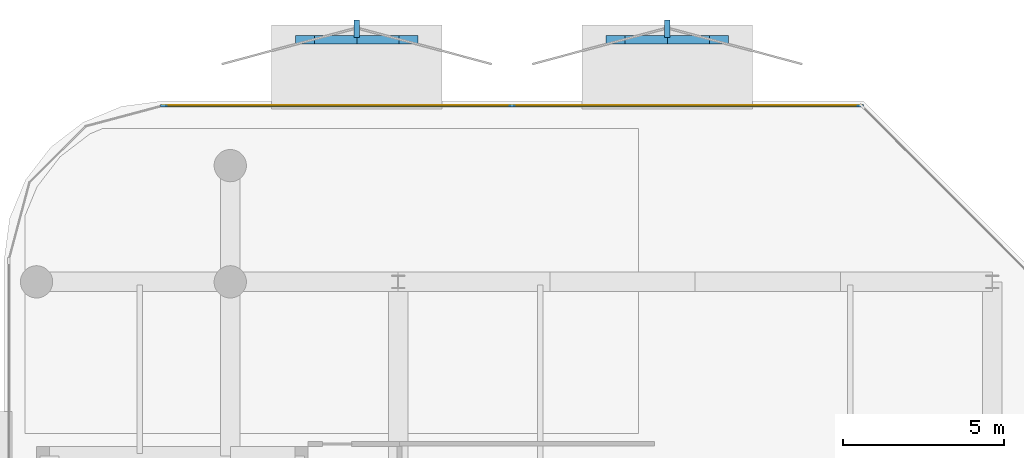
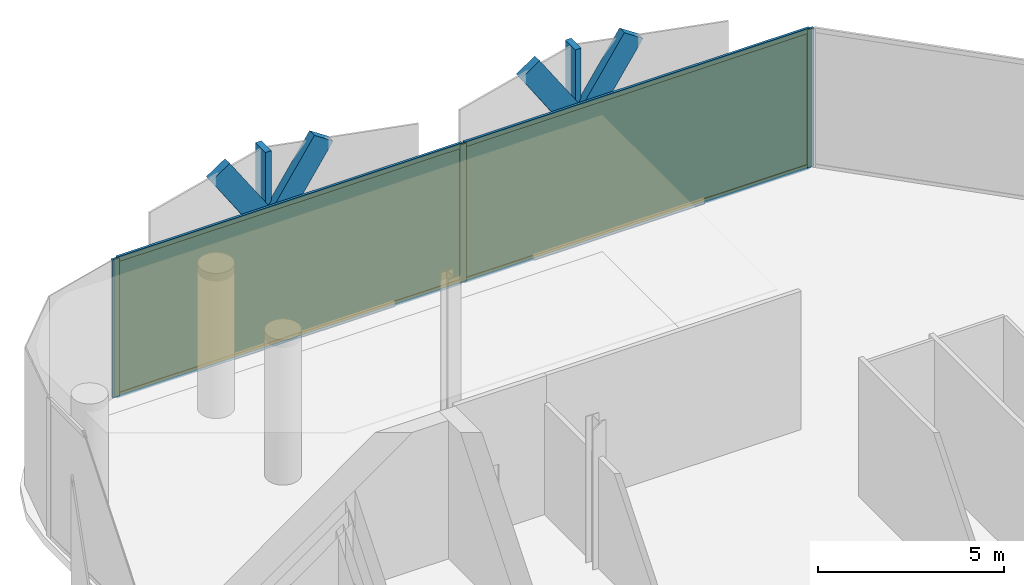
# One storey, part 10 of 15: 13 members, 2 plates, 1 curtain wall.
"""IFC4 building model written with IfcOpenShell, lengths in metres."""

from ifc_helpers import new_model, si_unit, direction, frame, frame_2d, origin, origin_2d, place, context, subcontext, project, spatial, rectangle, extrude, material, layer, layer_set, material_profile, profile_set, type_object, element, aggregate, save


model = new_model("IFC4")

# Units and contexts
model_context = context("Model", 3, precision=1e-05, world=origin(), true_north=direction((0.0, 1.0)))
body_context = subcontext(model_context, "Body", "Model", "MODEL_VIEW")
ifc_project = project(units=[si_unit("LENGTHUNIT", "METRE"), si_unit("AREAUNIT", "SQUARE_METRE"), si_unit("VOLUMEUNIT", "CUBIC_METRE"), si_unit("PLANEANGLEUNIT", "RADIAN"), si_unit("MASSUNIT", "GRAM", prefix="KILO")], contexts=[model_context])

# Member
ifc_material_1 = material(Name="Anodised Bronze Aluminium 6063-T6", Category="aluminium")
ifc_material_profile_1 = material_profile(ifc_material_1, rectangle(XDim=0.260009765625, YDim=0.699951171875, at=origin_2d()))
ifc_profile_set_1 = profile_set([ifc_material_profile_1], Name="Anodised Bronze Aluminium 6063-T6")
member_type_1 = type_object("IfcMemberType", Name="Bronze Diamond Solar-Screen Lattice Rib BDL-700", PredefinedType="MULLION", material=ifc_profile_set_1)
site_placement = place(None, origin())
building_placement = place(site_placement, origin())
storey_placement = place(building_placement, frame((0.0, 0.0, 315.60009765625)))
member_1_placement = place(storey_placement, frame((-12.085205078125, 26.10009765625, -0.130126953125), z_axis=(0.555334509601, 0.0, 0.831627069332), x_axis=(0.0, 1.0, 0.0)))
member_1 = element("IfcMember", 1, at=member_1_placement, type_object=member_type_1, Name="L76 Bronze Diamond Solar Screen Lattice Rib 538A", PredefinedType="MULLION", context=body_context, shape_type="SweptSolid", body=[
    extrude(rectangle(XDim=0.260009765625, YDim=0.699951171875, at=origin_2d()), origin(), (0.0, 0.0, 1.0), 5.77197265625),
])

member_2_placement = place(storey_placement, frame((-8.8798828125, 26.10009765625, -0.130126953125), z_axis=(-0.555334509601, 0.0, 0.831627069332), x_axis=(0.0, -1.0, 0.0)))
member_2 = element("IfcMember", 2, at=member_2_placement, type_object=member_type_1, Name="L76 Bronze Diamond Solar Screen Lattice Rib 538B", PredefinedType="MULLION", context=body_context, shape_type="SweptSolid", body=[
    extrude(rectangle(XDim=0.260009765625, YDim=0.699951171875, at=origin_2d()), origin(), (0.0, 0.0, 1.0), 5.77197265625),
])

member_3_placement = place(storey_placement, frame((-2.468994140625, 26.10009765625, -0.130126953125), z_axis=(0.555363762233, 0.0, 0.831607534597), x_axis=(0.0, 1.0, 0.0)))
member_3 = element("IfcMember", 3, at=member_3_placement, type_object=member_type_1, Name="L76 Bronze Diamond Solar Screen Lattice Rib 539A", PredefinedType="MULLION", context=body_context, shape_type="SweptSolid", body=[
    extrude(rectangle(XDim=0.260009765625, YDim=0.699951171875, at=origin_2d()), origin(), (0.0, 0.0, 1.0), 5.77197265625),
])

member_4_placement = place(storey_placement, frame((0.736572265625, 26.10009765625, -0.130126953125), z_axis=(-0.555363762233, 0.0, 0.831607534597), x_axis=(0.0, -1.0, 0.0)))
member_4 = element("IfcMember", 4, at=member_4_placement, type_object=member_type_1, Name="L76 Bronze Diamond Solar Screen Lattice Rib 539B", PredefinedType="MULLION", context=body_context, shape_type="SweptSolid", body=[
    extrude(rectangle(XDim=0.260009765625, YDim=0.699951171875, at=origin_2d()), origin(), (0.0, 0.0, 1.0), 5.77197265625),
])

ifc_material_2 = material(Name="Anodised Bronze Aluminium 6063-T6", Category="aluminium")
ifc_material_profile_2 = material_profile(ifc_material_2, rectangle(XDim=0.179931640625, YDim=0.5400390625, at=origin_2d()))
ifc_profile_set_2 = profile_set([ifc_material_profile_2], Name="Anodised Bronze Aluminium 6063-T6")
member_type_2 = type_object("IfcMemberType", Name="Bronze Solar-Screen Vertical Fold Fin BSF-540", PredefinedType="MULLION", material=ifc_profile_set_2)
member_5_placement = place(storey_placement, frame((-10.482666015625, 26.43994140625, -0.130126953125), z_axis=(0.0, 0.0, 1.0), x_axis=(1.0, 0.0, 0.0)))
member_5 = element("IfcMember", 5, at=member_5_placement, type_object=member_type_2, Name="L76 Bronze Solar Screen Vertical Fin 538", PredefinedType="MULLION", context=body_context, shape_type="SweptSolid", body=[
    extrude(rectangle(XDim=0.179931640625, YDim=0.5400390625, at=origin_2d()), origin(), (0.0, 0.0, 1.0), 4.800048828125),
])

member_6_placement = place(storey_placement, frame((-0.8662109375, 26.43994140625, -0.130126953125), z_axis=(0.0, 0.0, 1.0), x_axis=(1.0, 0.0, 0.0)))
member_6 = element("IfcMember", 6, at=member_6_placement, type_object=member_type_2, Name="L76 Bronze Solar Screen Vertical Fin 539", PredefinedType="MULLION", context=body_context, shape_type="SweptSolid", body=[
    extrude(rectangle(XDim=0.179931640625, YDim=0.5400390625, at=origin_2d()), origin(), (0.0, 0.0, 1.0), 4.800048828125),
])

ifc_material_3 = material(Name="Anodised Bronze Aluminium 6063-T6", Category="aluminium")
ifc_material_profile_3 = material_profile(ifc_material_3, rectangle(XDim=0.074951171875, YDim=0.2099609375, at=origin_2d()))
ifc_profile_set_3 = profile_set([ifc_material_profile_3], Name="Anodised Bronze Aluminium 6063-T6")
member_type_3 = type_object("IfcMemberType", Name="CW-CRN Mullion 75x210", PredefinedType="MULLION", material=ifc_profile_set_3)
member_7_placement = place(storey_placement, frame((-16.453369140625, 24.06005859375, 0.0), z_axis=(0.0, 0.0, 1.0), x_axis=(0.0, 1.0, 0.0)))
member_7 = element("IfcMember", 7, at=member_7_placement, type_object=member_type_3, Name="CW-CRN mullion 1", PredefinedType="MULLION", context=body_context, shape_type="SweptSolid", body=[
    extrude(rectangle(XDim=0.074951171875, YDim=0.2099609375, at=origin_2d()), origin(), (0.0, 0.0, 1.0), 4.539794921875),
])

member_8_placement = place(storey_placement, frame((-5.67431640625, 24.06005859375, 0.0), z_axis=(0.0, 0.0, 1.0), x_axis=(0.0, 1.0, 0.0)))
member_8 = element("IfcMember", 8, at=member_8_placement, type_object=member_type_3, Name="CW-CRN mullion 2", PredefinedType="MULLION", context=body_context, shape_type="SweptSolid", body=[
    extrude(rectangle(XDim=0.074951171875, YDim=0.2099609375, at=origin_2d()), origin(), (0.0, 0.0, 1.0), 4.539794921875),
])

member_9_placement = place(storey_placement, frame((5.1044921875, 24.06005859375, 0.0), z_axis=(0.0, 0.0, 1.0), x_axis=(0.0, 1.0, 0.0)))
member_9 = element("IfcMember", 9, at=member_9_placement, type_object=member_type_3, Name="CW-CRN mullion 3", PredefinedType="MULLION", context=body_context, shape_type="SweptSolid", body=[
    extrude(rectangle(XDim=0.074951171875, YDim=0.2099609375, at=origin_2d()), origin(), (0.0, 0.0, 1.0), 4.539794921875),
])

ifc_material_4 = material(Name="Anodised Bronze Aluminium 6063-T6", Category="aluminium")
ifc_material_profile_4 = material_profile(ifc_material_4, rectangle(XDim=0.074951171875, YDim=0.1650390625, at=origin_2d()))
ifc_profile_set_4 = profile_set([ifc_material_profile_4], Name="Anodised Bronze Aluminium 6063-T6")
member_type_4 = type_object("IfcMemberType", Name="CW-CRN Transom 75x165", PredefinedType="USERDEFINED", material=ifc_profile_set_4)
member_10_placement = place(storey_placement, frame((-16.415771484375, 24.06005859375, 0.037353515625), z_axis=(1.0, 0.0, 0.0), x_axis=(0.0, 1.0, 0.0)))
member_10 = element("IfcMember", 10, at=member_10_placement, type_object=member_type_4, Name="CW-CRN transom 1.1", ObjectType="TRANSOM", PredefinedType="USERDEFINED", context=body_context, shape_type="SweptSolid", body=[
    extrude(rectangle(XDim=0.074951171875, YDim=0.1650390625, at=origin_2d()), origin(), (0.0, 0.0, 1.0), 10.703857421875),
])

member_11_placement = place(storey_placement, frame((-16.415771484375, 24.06005859375, 4.50244140625), z_axis=(1.0, 0.0, 0.0), x_axis=(0.0, 1.0, 0.0)))
member_11 = element("IfcMember", 11, at=member_11_placement, type_object=member_type_4, Name="CW-CRN transom 1.2", ObjectType="TRANSOM", PredefinedType="USERDEFINED", context=body_context, shape_type="SweptSolid", body=[
    extrude(rectangle(XDim=0.074951171875, YDim=0.1650390625, at=origin_2d()), origin(), (0.0, 0.0, 1.0), 10.703857421875),
])

member_12_placement = place(storey_placement, frame((-5.636962890625, 24.06005859375, 0.037353515625), z_axis=(1.0, 0.0, 0.0), x_axis=(0.0, 1.0, 0.0)))
member_12 = element("IfcMember", 12, at=member_12_placement, type_object=member_type_4, Name="CW-CRN transom 2.1", ObjectType="TRANSOM", PredefinedType="USERDEFINED", context=body_context, shape_type="SweptSolid", body=[
    extrude(rectangle(XDim=0.074951171875, YDim=0.1650390625, at=origin_2d()), origin(), (0.0, 0.0, 1.0), 10.703857421875),
])

member_13_placement = place(storey_placement, frame((-5.636962890625, 24.06005859375, 4.50244140625), z_axis=(1.0, 0.0, 0.0), x_axis=(0.0, 1.0, 0.0)))
member_13 = element("IfcMember", 13, at=member_13_placement, type_object=member_type_4, Name="CW-CRN transom 2.2", ObjectType="TRANSOM", PredefinedType="USERDEFINED", context=body_context, shape_type="SweptSolid", body=[
    extrude(rectangle(XDim=0.074951171875, YDim=0.1650390625, at=origin_2d()), origin(), (0.0, 0.0, 1.0), 10.703857421875),
])

# Plate
ifc_material_5 = material(Name="Low-E Solar Control Laminated Glass", Category="glass")
ifc_layer_1 = layer(ifc_material_5, 0.035888671875, Name="Low-E Solar Control Laminated Glass")
ifc_layer_set_1 = layer_set([ifc_layer_1], Name="Low-E Solar Control Laminated Glass")
plate_type = type_object("IfcPlateType", Name="CW-CRN Low-E Double Glazed Panel 36mm", PredefinedType="CURTAIN_PANEL", material=ifc_layer_set_1)
plate_1_placement = place(storey_placement, frame((-11.06396484375, 24.06005859375, 0.0751953125), z_axis=(0.0, 0.0, 1.0), x_axis=(1.0, 0.0, 0.0)))
plate_1 = element("IfcPlate", 14, at=plate_1_placement, type_object=plate_type, Name="CW-CRN panel 1.1", PredefinedType="CURTAIN_PANEL", context=body_context, shape_type="SweptSolid", body=[
    extrude(rectangle(XDim=10.703857421875, YDim=0.035888671875, at=origin_2d()), origin(), (0.0, 0.0, 1.0), 4.389892578125),
])

plate_2_placement = place(storey_placement, frame((-0.284912109375, 24.06005859375, 0.0751953125), z_axis=(0.0, 0.0, 1.0), x_axis=(1.0, 0.0, 0.0)))
plate_2 = element("IfcPlate", 15, at=plate_2_placement, type_object=plate_type, Name="CW-CRN panel 2.1", PredefinedType="CURTAIN_PANEL", context=body_context, shape_type="SweptSolid", body=[
    extrude(rectangle(XDim=10.703857421875, YDim=0.035888671875, at=origin_2d()), origin(), (0.0, 0.0, 1.0), 4.389892578125),
])

# Site, building, storey
site = spatial("IfcSite", under=ifc_project, at=site_placement, CompositionType="ELEMENT")
building = spatial("IfcBuilding", under=site, at=building_placement, Name="Khairoan Windgate Tower", CompositionType="ELEMENT")
storey = spatial("IfcBuildingStorey", under=building, at=storey_placement, Name="L76", CompositionType="ELEMENT", Elevation=315.60009765625)

# Curtain wall
ifc_material_6 = material(Name="Anodised Bronze Aluminium 6063-T6", Category="aluminium")
ifc_layer_2 = layer(ifc_material_6, 0.2099609375, Name="Anodised Bronze Aluminium 6063-T6")
ifc_layer_set_2 = layer_set([ifc_layer_2], Name="Anodised Bronze Aluminium 6063-T6")
curtain_wall_type = type_object("IfcCurtainWallType", Name="Crown Observation and Vitrine Curtain Wall CW-CRN", PredefinedType="NOTDEFINED", material=ifc_layer_set_2)
curtain_wall_placement = place(storey_placement, frame((-16.49072265625, 24.06005859375, 0.0), z_axis=(0.0, 0.0, 1.0), x_axis=(1.0, 0.0, 0.0)))
curtain_wall = element("IfcCurtainWall", 16, at=curtain_wall_placement, inside=storey, type_object=curtain_wall_type, Name="L76 Unitised Curtain Wall 7", PredefinedType="NOTDEFINED", context=body_context, shape_type="SweptSolid", body=[
    extrude(rectangle(XDim=21.6328125, YDim=0.010009765625, at=frame_2d((10.81640625, 0.0))), origin(), (0.0, 0.0, 1.0), 4.539794921875),
])

aggregate(curtain_wall, [member_7, member_8, member_9, member_10, member_11, plate_1, member_12, member_13, plate_2, member_1, member_2, member_5, member_3, member_4, member_6])

save(model, "model.ifc")
